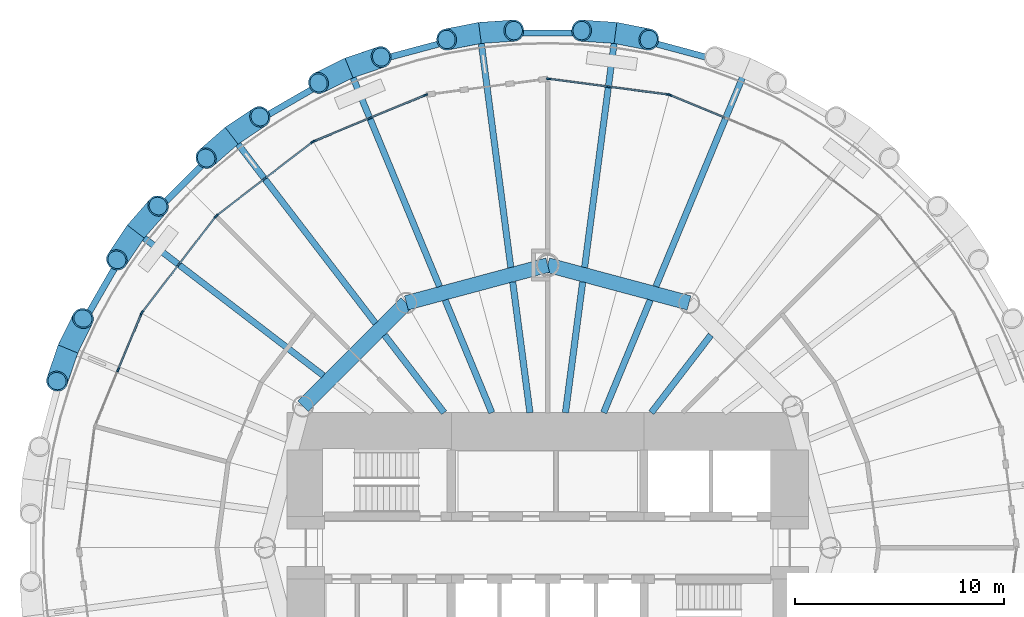
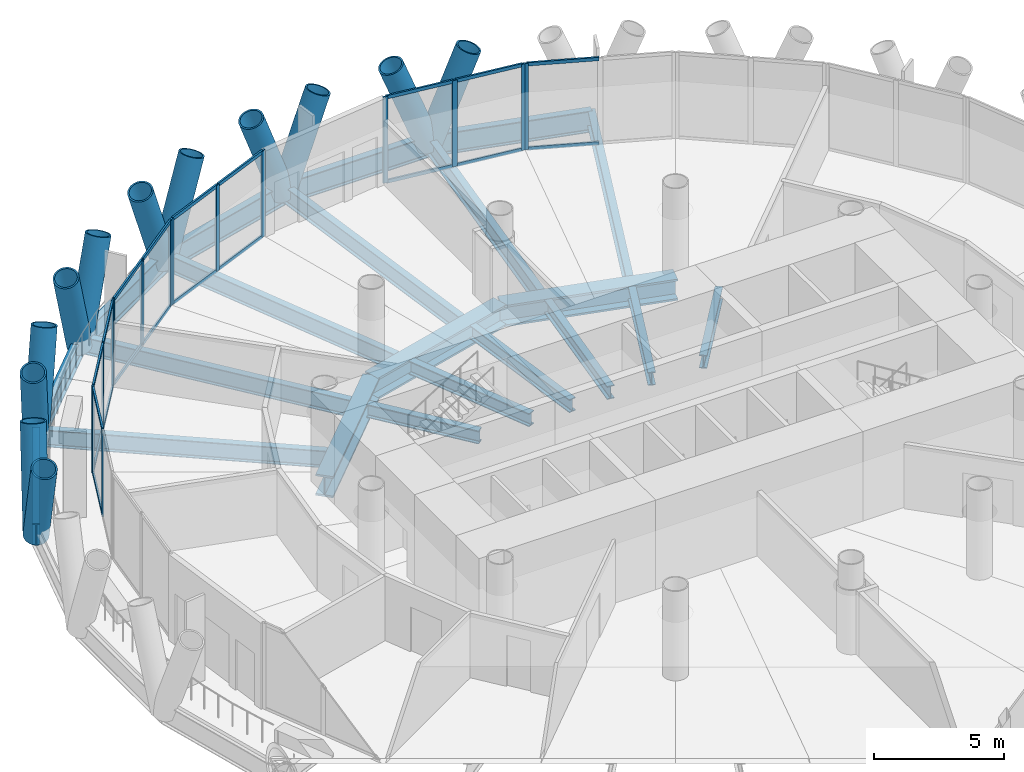
# One storey, part 5 of 14: 47 members, 21 beams, 6 elements without a shape of their own.
"""IFC4 building model written with IfcOpenShell, lengths in metres."""

from ifc_helpers import new_model, si_unit, direction, frame, origin, origin_2d, place, context, subcontext, project, spatial, rectangle, hollow_circle, i_section, extrude, material, material_profile, profile_set, type_object, element, aggregate, save


model = new_model("IFC4")

# Units and contexts
model_context = context("Model", 3, precision=1e-05, world=origin(), true_north=direction((0.0, 1.0)))
body_context = subcontext(model_context, "Body", "Model", "MODEL_VIEW")
ifc_project = project(units=[si_unit("LENGTHUNIT", "METRE"), si_unit("AREAUNIT", "SQUARE_METRE"), si_unit("VOLUMEUNIT", "CUBIC_METRE"), si_unit("PLANEANGLEUNIT", "RADIAN"), si_unit("MASSUNIT", "GRAM", prefix="KILO")], contexts=[model_context])

# Site, building, storey
site_placement = place(None, origin())
site = spatial("IfcSite", under=ifc_project, at=site_placement, CompositionType="ELEMENT")
building_placement = place(site_placement, origin())
building = spatial("IfcBuilding", under=site, at=building_placement, Name="Qaws Media Tower", CompositionType="ELEMENT")
storey_placement = place(building_placement, frame((0.0, 0.0, 152.0)))
storey = spatial("IfcBuildingStorey", under=building, at=storey_placement, Name="L34", CompositionType="ELEMENT", Elevation=152.0)

# Curtain wall, member
ifc_material_1 = material(Name="Aluminium and clear glass", Category="aluminium")
curtain_wall_type = type_object("IfcCurtainWallType", Name="Unitised curtain wall CW-B", PredefinedType="NOTDEFINED", material=ifc_material_1)
curtain_wall_1_placement = place(storey_placement, origin())
curtain_wall_1 = element("IfcCurtainWall", 1, at=curtain_wall_1_placement, inside=storey, type_object=curtain_wall_type, Name="CWB curtain wall L34-05", PredefinedType="NOTDEFINED")
ifc_material_2 = material(Name="Aluminium mullion", Category="aluminium")
ifc_material_profile_1 = material_profile(ifc_material_2, rectangle(XDim=0.080078125, YDim=0.199951171875, at=origin_2d()), Name="80x200")
ifc_profile_set_1 = profile_set([ifc_material_profile_1], Name="Aluminium mullion")
member_type_1 = type_object("IfcMemberType", Name="Curtain wall mullion 80x200", PredefinedType="MULLION", material=ifc_profile_set_1)
member_1_placement = place(storey_placement, frame((65.83447265625, 71.621337890625, 0.0), z_axis=(0.0, 0.0, 1.0), x_axis=(-0.382683534144, -0.923879490353, 0.0)))
member_1 = element("IfcMember", 2, at=member_1_placement, type_object=member_type_1, Name="CWB mullion 3", PredefinedType="MULLION", context=body_context, shape_type="SweptSolid", body=[
    extrude(rectangle(XDim=0.080078125, YDim=0.199951171875, at=origin_2d()), origin(), (0.0, 0.0, 1.0), 4.0400390625),
])

# Curtain wall, members
curtain_wall_2_placement = place(storey_placement, origin())
curtain_wall_2 = element("IfcCurtainWall", 3, at=curtain_wall_2_placement, inside=storey, type_object=curtain_wall_type, Name="CWB curtain wall L34-06", PredefinedType="NOTDEFINED")
member_2_placement = place(storey_placement, frame((65.7578125, 71.641845703125, 0.0), z_axis=(0.0, 0.0, 1.0), x_axis=(-0.130526101045, -0.991444873377, 0.0)))
member_2 = element("IfcMember", 4, at=member_2_placement, type_object=member_type_1, Name="CWB mullion 1", PredefinedType="MULLION", context=body_context, shape_type="SweptSolid", body=[
    extrude(rectangle(XDim=0.080078125, YDim=0.199951171875, at=origin_2d()), origin(), (0.0, 0.0, 1.0), 4.0400390625),
])
member_3_placement = place(storey_placement, frame((62.898681640625, 72.018310546875, 0.0), z_axis=(0.0, 0.0, 1.0), x_axis=(-0.130526101045, -0.991444873377, 0.0)))
member_3 = element("IfcMember", 5, at=member_3_placement, type_object=member_type_1, Name="CWB mullion 2", PredefinedType="MULLION", context=body_context, shape_type="SweptSolid", body=[
    extrude(rectangle(XDim=0.080078125, YDim=0.199951171875, at=origin_2d()), origin(), (0.0, 0.0, 1.0), 4.0400390625),
])
member_4_placement = place(storey_placement, frame((60.03955078125, 72.394775390625, 0.0), z_axis=(0.0, 0.0, 1.0), x_axis=(-0.130526101045, -0.991444873377, 0.0)))
member_4 = element("IfcMember", 6, at=member_4_placement, type_object=member_type_1, Name="CWB mullion 3", PredefinedType="MULLION", context=body_context, shape_type="SweptSolid", body=[
    extrude(rectangle(XDim=0.080078125, YDim=0.199951171875, at=origin_2d()), origin(), (0.0, 0.0, 1.0), 4.0400390625),
])

curtain_wall_3_placement = place(storey_placement, origin())
curtain_wall_3 = element("IfcCurtainWall", 7, at=curtain_wall_3_placement, inside=storey, type_object=curtain_wall_type, Name="CWB curtain wall L34-08", PredefinedType="NOTDEFINED")
member_5_placement = place(storey_placement, frame((54.16552734375, 71.621337890625, 0.0), z_axis=(0.0, 0.0, 1.0), x_axis=(0.382683534144, -0.923879490353, 0.0)))
member_5 = element("IfcMember", 8, at=member_5_placement, type_object=member_type_1, Name="CWB mullion 1", PredefinedType="MULLION", context=body_context, shape_type="SweptSolid", body=[
    extrude(rectangle(XDim=0.080078125, YDim=0.199951171875, at=origin_2d()), origin(), (0.0, 0.0, 1.0), 4.0400390625),
])
member_6_placement = place(storey_placement, frame((51.501220703125, 70.517822265625, 0.0), z_axis=(0.0, 0.0, 1.0), x_axis=(0.382683534144, -0.923879490353, 0.0)))
member_6 = element("IfcMember", 9, at=member_6_placement, type_object=member_type_1, Name="CWB mullion 2", PredefinedType="MULLION", context=body_context, shape_type="SweptSolid", body=[
    extrude(rectangle(XDim=0.080078125, YDim=0.199951171875, at=origin_2d()), origin(), (0.0, 0.0, 1.0), 4.0400390625),
])
member_7_placement = place(storey_placement, frame((48.8369140625, 69.414306640625, 0.0), z_axis=(0.0, 0.0, 1.0), x_axis=(0.382683534144, -0.923879490353, 0.0)))
member_7 = element("IfcMember", 10, at=member_7_placement, type_object=member_type_1, Name="CWB mullion 3", PredefinedType="MULLION", context=body_context, shape_type="SweptSolid", body=[
    extrude(rectangle(XDim=0.080078125, YDim=0.199951171875, at=origin_2d()), origin(), (0.0, 0.0, 1.0), 4.0400390625),
])

curtain_wall_4_placement = place(storey_placement, origin())
curtain_wall_4 = element("IfcCurtainWall", 11, at=curtain_wall_4_placement, inside=storey, type_object=curtain_wall_type, Name="CWB curtain wall L34-09", PredefinedType="NOTDEFINED")
member_8_placement = place(storey_placement, frame((48.768310546875, 69.37451171875, 0.0), z_axis=(0.0, 0.0, 1.0), x_axis=(0.608761404902, -0.793353358789, 0.0)))
member_8 = element("IfcMember", 12, at=member_8_placement, type_object=member_type_1, Name="CWB mullion 1", PredefinedType="MULLION", context=body_context, shape_type="SweptSolid", body=[
    extrude(rectangle(XDim=0.080078125, YDim=0.199951171875, at=origin_2d()), origin(), (0.0, 0.0, 1.0), 4.0400390625),
])
member_9_placement = place(storey_placement, frame((46.48046875, 67.619140625, 0.0), z_axis=(0.0, 0.0, 1.0), x_axis=(0.608761404902, -0.793353358789, 0.0)))
member_9 = element("IfcMember", 13, at=member_9_placement, type_object=member_type_1, Name="CWB mullion 2", PredefinedType="MULLION", context=body_context, shape_type="SweptSolid", body=[
    extrude(rectangle(XDim=0.080078125, YDim=0.199951171875, at=origin_2d()), origin(), (0.0, 0.0, 1.0), 4.0400390625),
])
member_10_placement = place(storey_placement, frame((44.192626953125, 65.863525390625, 0.0), z_axis=(0.0, 0.0, 1.0), x_axis=(0.608761404902, -0.793353358789, 0.0)))
member_10 = element("IfcMember", 14, at=member_10_placement, type_object=member_type_1, Name="CWB mullion 3", PredefinedType="MULLION", context=body_context, shape_type="SweptSolid", body=[
    extrude(rectangle(XDim=0.080078125, YDim=0.199951171875, at=origin_2d()), origin(), (0.0, 0.0, 1.0), 4.0400390625),
])

curtain_wall_5_placement = place(storey_placement, origin())
curtain_wall_5 = element("IfcCurtainWall", 15, at=curtain_wall_5_placement, inside=storey, type_object=curtain_wall_type, Name="CWB curtain wall L34-10", PredefinedType="NOTDEFINED")
member_11_placement = place(storey_placement, frame((44.136474609375, 65.807373046875, 0.0), z_axis=(0.0, 0.0, 1.0), x_axis=(0.793353358789, -0.608761404902, 0.0)))
member_11 = element("IfcMember", 16, at=member_11_placement, type_object=member_type_1, Name="CWB mullion 1", PredefinedType="MULLION", context=body_context, shape_type="SweptSolid", body=[
    extrude(rectangle(XDim=0.080078125, YDim=0.199951171875, at=origin_2d()), origin(), (0.0, 0.0, 1.0), 4.0400390625),
])
member_12_placement = place(storey_placement, frame((42.380859375, 63.51953125, 0.0), z_axis=(0.0, 0.0, 1.0), x_axis=(0.793353358789, -0.608761404902, 0.0)))
member_12 = element("IfcMember", 17, at=member_12_placement, type_object=member_type_1, Name="CWB mullion 2", PredefinedType="MULLION", context=body_context, shape_type="SweptSolid", body=[
    extrude(rectangle(XDim=0.080078125, YDim=0.199951171875, at=origin_2d()), origin(), (0.0, 0.0, 1.0), 4.0400390625),
])
member_13_placement = place(storey_placement, frame((40.62548828125, 61.231689453125, 0.0), z_axis=(0.0, 0.0, 1.0), x_axis=(0.793353358789, -0.608761404902, 0.0)))
member_13 = element("IfcMember", 18, at=member_13_placement, type_object=member_type_1, Name="CWB mullion 3", PredefinedType="MULLION", context=body_context, shape_type="SweptSolid", body=[
    extrude(rectangle(XDim=0.080078125, YDim=0.199951171875, at=origin_2d()), origin(), (0.0, 0.0, 1.0), 4.0400390625),
])

curtain_wall_6_placement = place(storey_placement, origin())
curtain_wall_6 = element("IfcCurtainWall", 19, at=curtain_wall_6_placement, inside=storey, type_object=curtain_wall_type, Name="CWB curtain wall L34-11", PredefinedType="NOTDEFINED")
member_14_placement = place(storey_placement, frame((40.585693359375, 61.1630859375, 0.0), z_axis=(0.0, 0.0, 1.0), x_axis=(0.923879490353, -0.382683534144, 0.0)))
member_14 = element("IfcMember", 20, at=member_14_placement, type_object=member_type_1, Name="CWB mullion 1", PredefinedType="MULLION", context=body_context, shape_type="SweptSolid", body=[
    extrude(rectangle(XDim=0.080078125, YDim=0.199951171875, at=origin_2d()), origin(), (0.0, 0.0, 1.0), 4.0400390625),
])
member_15_placement = place(storey_placement, frame((39.482177734375, 58.498779296875, 0.0), z_axis=(0.0, 0.0, 1.0), x_axis=(0.923879490353, -0.382683534144, 0.0)))
member_15 = element("IfcMember", 21, at=member_15_placement, type_object=member_type_1, Name="CWB mullion 2", PredefinedType="MULLION", context=body_context, shape_type="SweptSolid", body=[
    extrude(rectangle(XDim=0.080078125, YDim=0.199951171875, at=origin_2d()), origin(), (0.0, 0.0, 1.0), 4.0400390625),
])

# Member
ifc_material_3 = material(Name="Aluminium transom", Category="aluminium")
ifc_material_profile_2 = material_profile(ifc_material_3, rectangle(XDim=0.080078125, YDim=0.159912109375, at=origin_2d()), Name="80x160")
ifc_profile_set_2 = profile_set([ifc_material_profile_2], Name="Aluminium transom")
member_type_2 = type_object("IfcMemberType", Name="Curtain wall transom 80x160", PredefinedType="USERDEFINED", material=ifc_profile_set_2)
member_16_placement = place(storey_placement, frame((68.4619140625, 70.533203125, 0.0400390625), z_axis=(-0.923886308121, 0.382667074186, 0.0), x_axis=(-0.382667074186, -0.923886308121, 0.0)))
member_16 = element("IfcMember", 22, at=member_16_placement, type_object=member_type_2, Name="CWB transom 2.1", ObjectType="TRANSOM", PredefinedType="USERDEFINED", context=body_context, shape_type="SweptSolid", body=[
    extrude(rectangle(XDim=0.080078125, YDim=0.159912109375, at=origin_2d()), origin(), (0.0, 0.0, 1.0), 2.803955078125),
])

member_17_placement = place(storey_placement, frame((68.4619140625, 70.533203125, 4.0), z_axis=(-0.923886308121, 0.382667074186, 0.0), x_axis=(-0.382667074186, -0.923886308121, 0.0)))
member_17 = element("IfcMember", 23, at=member_17_placement, type_object=member_type_2, Name="CWB transom 2.2", ObjectType="TRANSOM", PredefinedType="USERDEFINED", context=body_context, shape_type="SweptSolid", body=[
    extrude(rectangle(XDim=0.080078125, YDim=0.159912109375, at=origin_2d()), origin(), (0.0, 0.0, 1.0), 2.803955078125),
])

aggregate(curtain_wall_1, [member_1, member_16, member_17])

member_18_placement = place(storey_placement, frame((65.71826171875, 71.647216796875, 0.0400390625), z_axis=(-0.991444808835, 0.130526591291, 0.0), x_axis=(-0.130526591291, -0.991444808835, 0.0)))
member_18 = element("IfcMember", 24, at=member_18_placement, type_object=member_type_2, Name="CWB transom 1.1", ObjectType="TRANSOM", PredefinedType="USERDEFINED", context=body_context, shape_type="SweptSolid", body=[
    extrude(rectangle(XDim=0.080078125, YDim=0.159912109375, at=origin_2d()), origin(), (0.0, 0.0, 1.0), 2.8037109375),
])

member_19_placement = place(storey_placement, frame((65.71826171875, 71.647216796875, 4.0), z_axis=(-0.991444808835, 0.130526591291, 0.0), x_axis=(-0.130526591291, -0.991444808835, 0.0)))
member_19 = element("IfcMember", 25, at=member_19_placement, type_object=member_type_2, Name="CWB transom 1.2", ObjectType="TRANSOM", PredefinedType="USERDEFINED", context=body_context, shape_type="SweptSolid", body=[
    extrude(rectangle(XDim=0.080078125, YDim=0.159912109375, at=origin_2d()), origin(), (0.0, 0.0, 1.0), 2.8037109375),
])

member_20_placement = place(storey_placement, frame((62.859130859375, 72.023681640625, 0.0400390625), z_axis=(-0.991444808835, 0.130526591291, 0.0), x_axis=(-0.130526591291, -0.991444808835, 0.0)))
member_20 = element("IfcMember", 26, at=member_20_placement, type_object=member_type_2, Name="CWB transom 2.1", ObjectType="TRANSOM", PredefinedType="USERDEFINED", context=body_context, shape_type="SweptSolid", body=[
    extrude(rectangle(XDim=0.080078125, YDim=0.159912109375, at=origin_2d()), origin(), (0.0, 0.0, 1.0), 2.8037109375),
])

member_21_placement = place(storey_placement, frame((62.859130859375, 72.023681640625, 4.0), z_axis=(-0.991444808835, 0.130526591291, 0.0), x_axis=(-0.130526591291, -0.991444808835, 0.0)))
member_21 = element("IfcMember", 27, at=member_21_placement, type_object=member_type_2, Name="CWB transom 2.2", ObjectType="TRANSOM", PredefinedType="USERDEFINED", context=body_context, shape_type="SweptSolid", body=[
    extrude(rectangle(XDim=0.080078125, YDim=0.159912109375, at=origin_2d()), origin(), (0.0, 0.0, 1.0), 2.8037109375),
])

aggregate(curtain_wall_2, [member_2, member_3, member_4, member_18, member_19, member_20, member_21])

member_22_placement = place(storey_placement, frame((54.128662109375, 71.606201171875, 0.0400390625), z_axis=(-0.923886308121, -0.382667074186, 0.0), x_axis=(0.382667074186, -0.923886308121, 0.0)))
member_22 = element("IfcMember", 28, at=member_22_placement, type_object=member_type_2, Name="CWB transom 1.1", ObjectType="TRANSOM", PredefinedType="USERDEFINED", context=body_context, shape_type="SweptSolid", body=[
    extrude(rectangle(XDim=0.080078125, YDim=0.159912109375, at=origin_2d()), origin(), (0.0, 0.0, 1.0), 2.803955078125),
])

member_23_placement = place(storey_placement, frame((54.128662109375, 71.606201171875, 4.0), z_axis=(-0.923886308121, -0.382667074186, 0.0), x_axis=(0.382667074186, -0.923886308121, 0.0)))
member_23 = element("IfcMember", 29, at=member_23_placement, type_object=member_type_2, Name="CWB transom 1.2", ObjectType="TRANSOM", PredefinedType="USERDEFINED", context=body_context, shape_type="SweptSolid", body=[
    extrude(rectangle(XDim=0.080078125, YDim=0.159912109375, at=origin_2d()), origin(), (0.0, 0.0, 1.0), 2.803955078125),
])

member_24_placement = place(storey_placement, frame((51.46435546875, 70.50244140625, 0.0400390625), z_axis=(-0.923904341671, -0.382623532262, 0.0), x_axis=(0.382623532262, -0.923904341671, 0.0)))
member_24 = element("IfcMember", 30, at=member_24_placement, type_object=member_type_2, Name="CWB transom 2.1", ObjectType="TRANSOM", PredefinedType="USERDEFINED", context=body_context, shape_type="SweptSolid", body=[
    extrude(rectangle(XDim=0.080078125, YDim=0.159912109375, at=origin_2d()), origin(), (0.0, 0.0, 1.0), 2.8037109375),
])

member_25_placement = place(storey_placement, frame((51.46435546875, 70.50244140625, 4.0), z_axis=(-0.923904341671, -0.382623532262, 0.0), x_axis=(0.382623532262, -0.923904341671, 0.0)))
member_25 = element("IfcMember", 31, at=member_25_placement, type_object=member_type_2, Name="CWB transom 2.2", ObjectType="TRANSOM", PredefinedType="USERDEFINED", context=body_context, shape_type="SweptSolid", body=[
    extrude(rectangle(XDim=0.080078125, YDim=0.159912109375, at=origin_2d()), origin(), (0.0, 0.0, 1.0), 2.8037109375),
])

aggregate(curtain_wall_3, [member_5, member_6, member_7, member_22, member_23, member_24, member_25])

member_26_placement = place(storey_placement, frame((48.736572265625, 69.350341796875, 0.0400390625), z_axis=(-0.793316172096, -0.608809864482, 0.0), x_axis=(0.608809864482, -0.793316172096, 0.0)))
member_26 = element("IfcMember", 32, at=member_26_placement, type_object=member_type_2, Name="CWB transom 1.1", ObjectType="TRANSOM", PredefinedType="USERDEFINED", context=body_context, shape_type="SweptSolid", body=[
    extrude(rectangle(XDim=0.080078125, YDim=0.159912109375, at=origin_2d()), origin(), (0.0, 0.0, 1.0), 2.803955078125),
])

member_27_placement = place(storey_placement, frame((48.736572265625, 69.350341796875, 4.0), z_axis=(-0.793316172096, -0.608809864482, 0.0), x_axis=(0.608809864482, -0.793316172096, 0.0)))
member_27 = element("IfcMember", 33, at=member_27_placement, type_object=member_type_2, Name="CWB transom 1.2", ObjectType="TRANSOM", PredefinedType="USERDEFINED", context=body_context, shape_type="SweptSolid", body=[
    extrude(rectangle(XDim=0.080078125, YDim=0.159912109375, at=origin_2d()), origin(), (0.0, 0.0, 1.0), 2.803955078125),
])

member_28_placement = place(storey_placement, frame((46.44873046875, 67.5947265625, 0.0400390625), z_axis=(-0.793358226524, -0.608755061094, 0.0), x_axis=(0.608755061094, -0.793358226524, 0.0)))
member_28 = element("IfcMember", 34, at=member_28_placement, type_object=member_type_2, Name="CWB transom 2.1", ObjectType="TRANSOM", PredefinedType="USERDEFINED", context=body_context, shape_type="SweptSolid", body=[
    extrude(rectangle(XDim=0.080078125, YDim=0.159912109375, at=origin_2d()), origin(), (0.0, 0.0, 1.0), 2.8037109375),
])

member_29_placement = place(storey_placement, frame((46.44873046875, 67.5947265625, 4.0), z_axis=(-0.793358226524, -0.608755061094, 0.0), x_axis=(0.608755061094, -0.793358226524, 0.0)))
member_29 = element("IfcMember", 35, at=member_29_placement, type_object=member_type_2, Name="CWB transom 2.2", ObjectType="TRANSOM", PredefinedType="USERDEFINED", context=body_context, shape_type="SweptSolid", body=[
    extrude(rectangle(XDim=0.080078125, YDim=0.159912109375, at=origin_2d()), origin(), (0.0, 0.0, 1.0), 2.8037109375),
])

aggregate(curtain_wall_4, [member_8, member_9, member_10, member_26, member_27, member_28, member_29])

member_30_placement = place(storey_placement, frame((44.112060546875, 65.775634765625, 0.0400390625), z_axis=(-0.608755061094, -0.793358226524, 0.0), x_axis=(0.793358226524, -0.608755061094, 0.0)))
member_30 = element("IfcMember", 36, at=member_30_placement, type_object=member_type_2, Name="CWB transom 1.1", ObjectType="TRANSOM", PredefinedType="USERDEFINED", context=body_context, shape_type="SweptSolid", body=[
    extrude(rectangle(XDim=0.080078125, YDim=0.159912109375, at=origin_2d()), origin(), (0.0, 0.0, 1.0), 2.8037109375),
])

member_31_placement = place(storey_placement, frame((44.112060546875, 65.775634765625, 4.0), z_axis=(-0.608755061094, -0.793358226524, 0.0), x_axis=(0.793358226524, -0.608755061094, 0.0)))
member_31 = element("IfcMember", 37, at=member_31_placement, type_object=member_type_2, Name="CWB transom 1.2", ObjectType="TRANSOM", PredefinedType="USERDEFINED", context=body_context, shape_type="SweptSolid", body=[
    extrude(rectangle(XDim=0.080078125, YDim=0.159912109375, at=origin_2d()), origin(), (0.0, 0.0, 1.0), 2.8037109375),
])

member_32_placement = place(storey_placement, frame((42.356689453125, 63.48779296875, 0.0400390625), z_axis=(-0.608809864482, -0.793316172096, 0.0), x_axis=(0.793316172096, -0.608809864482, 0.0)))
member_32 = element("IfcMember", 38, at=member_32_placement, type_object=member_type_2, Name="CWB transom 2.1", ObjectType="TRANSOM", PredefinedType="USERDEFINED", context=body_context, shape_type="SweptSolid", body=[
    extrude(rectangle(XDim=0.080078125, YDim=0.159912109375, at=origin_2d()), origin(), (0.0, 0.0, 1.0), 2.803955078125),
])

member_33_placement = place(storey_placement, frame((42.356689453125, 63.48779296875, 4.0), z_axis=(-0.608809864482, -0.793316172096, 0.0), x_axis=(0.793316172096, -0.608809864482, 0.0)))
member_33 = element("IfcMember", 39, at=member_33_placement, type_object=member_type_2, Name="CWB transom 2.2", ObjectType="TRANSOM", PredefinedType="USERDEFINED", context=body_context, shape_type="SweptSolid", body=[
    extrude(rectangle(XDim=0.080078125, YDim=0.159912109375, at=origin_2d()), origin(), (0.0, 0.0, 1.0), 2.803955078125),
])

aggregate(curtain_wall_5, [member_11, member_12, member_13, member_30, member_31, member_32, member_33])

member_34_placement = place(storey_placement, frame((40.5703125, 61.1259765625, 0.0400390625), z_axis=(-0.382623532262, -0.923904341671, 0.0), x_axis=(0.923904341671, -0.382623532262, 0.0)))
member_34 = element("IfcMember", 40, at=member_34_placement, type_object=member_type_2, Name="CWB transom 1.1", ObjectType="TRANSOM", PredefinedType="USERDEFINED", context=body_context, shape_type="SweptSolid", body=[
    extrude(rectangle(XDim=0.080078125, YDim=0.159912109375, at=origin_2d()), origin(), (0.0, 0.0, 1.0), 2.8037109375),
])

member_35_placement = place(storey_placement, frame((40.5703125, 61.1259765625, 4.0), z_axis=(-0.382623532262, -0.923904341671, 0.0), x_axis=(0.923904341671, -0.382623532262, 0.0)))
member_35 = element("IfcMember", 41, at=member_35_placement, type_object=member_type_2, Name="CWB transom 1.2", ObjectType="TRANSOM", PredefinedType="USERDEFINED", context=body_context, shape_type="SweptSolid", body=[
    extrude(rectangle(XDim=0.080078125, YDim=0.159912109375, at=origin_2d()), origin(), (0.0, 0.0, 1.0), 2.8037109375),
])

aggregate(curtain_wall_6, [member_14, member_15, member_34, member_35])

# Members
ifc_material_4 = material(Name="Steel S460", Category="steel")
ifc_material_profile_3 = material_profile(ifc_material_4, hollow_circle(Radius=0.508056640625, WallThickness=0.070068359375, at=origin_2d()), Name="CHS 1016x70")
ifc_profile_set_3 = profile_set([ifc_material_profile_3], Name="Steel S460")
member_type_3 = type_object("IfcMemberType", Name="Diagrid member CHS 1016x70", PredefinedType="USERDEFINED", material=ifc_profile_set_3)
for number, where, z_axis, x_axis, name in (
    (42, (63.237060546875, 74.587890625, -0.6640625), (-0.359462194382, 0.024238889861, 0.932844792572), (-0.067278203639, -0.997734254857, 0.0), "DG3 diagrid L34 A06"),
    (43, (63.237060546875, 74.587890625, -0.6640625), (0.353448581919, -0.069626876217, 0.93285915231), (0.193278433496, 0.981143948229, 0.0), "DG3 diagrid L34 B06"),
    (44, (56.762939453125, 74.587890625, -0.6640625), (-0.353448581919, -0.069626876217, 0.93285915231), (0.193278433496, -0.981143948229, 0.0), "DG3 diagrid L34 A07"),
    (45, (56.762939453125, 74.587890625, -0.6640625), (0.359462194382, 0.024238889861, 0.932844792572), (-0.067278203639, 0.997734254857, 0.0), "DG3 diagrid L34 B07"),
    (46, (50.509521484375, 72.912109375, -0.6640625), (-0.323405346097, -0.158720229381, 0.932854153071), (0.440578360022, -0.897714157558, 0.0), "DG3 diagrid L34 A08"),
    (47, (50.509521484375, 72.912109375, -0.6640625), (0.340918595871, 0.116477357075, 0.932849149797), (-0.323308237162, 0.946293709048, 0.0), "DG3 diagrid L34 B08"),
    (48, (44.90283203125, 69.675048828125, -0.6640625), (-0.271348031437, -0.236968604592, 0.932853753958), (0.657779667348, -0.753210401696, 0.0), "DG3 diagrid L34 A09"),
    (49, (44.90283203125, 69.675048828125, -0.6640625), (0.29916380796, 0.200743958142, 0.932846653677), (-0.557198519366, 0.830379316949, 0.0), "DG3 diagrid L34 B09"),
    (50, (40.324951171875, 65.09716796875, -0.6640625), (-0.200743958142, -0.29916380796, 0.932846653677), (0.830379316949, -0.557198519366, 0.0), "DG3 diagrid L34 A10"),
    (51, (40.324951171875, 65.09716796875, -0.6640625), (0.236968604592, 0.271348031437, 0.932853753958), (-0.753210401696, 0.657779667348, 0.0), "DG3 diagrid L34 B10"),
    (52, (37.087890625, 59.490478515625, -0.6640625), (-0.116477357075, -0.340918595871, 0.932849149797), (0.946293709048, -0.323308237162, 0.0), "DG3 diagrid L34 A11"),
    (53, (37.087890625, 59.490478515625, -0.6640625), (0.158720229381, 0.323405346097, 0.932854153071), (-0.897714157558, 0.440578360022, 0.0), "DG3 diagrid L34 B11"),
):
    element("IfcMember", number, at=place(storey_placement, frame(where, z_axis=z_axis, x_axis=x_axis)), inside=storey, type_object=member_type_3, Name=name, ObjectType="DIAGRID", PredefinedType="USERDEFINED", context=body_context, shape_type="SweptSolid", body=[
        extrude(hollow_circle(Radius=0.508056640625, WallThickness=0.070068359375, at=origin_2d()), origin(), (0.0, 0.0, 1.0), 4.502197265625),
    ])

# Beams
ifc_material_5 = material(Name="Steel S460", Category="steel")
ifc_material_profile_4 = material_profile(ifc_material_5, i_section(OverallWidth=0.302001953125, OverallDepth=1.008056640625, WebThickness=0.02099609375, FlangeThickness=0.0400390625, FilletRadius=0.030029296875, at=origin_2d()), Name="HE 1000 M")
ifc_profile_set_4 = profile_set([ifc_material_profile_4], Name="Steel S460")
beam_type_1 = type_object("IfcBeamType", Name="Edge ring beam HE 1000 M", PredefinedType="BEAM", material=ifc_profile_set_4)
for number, where, z_axis, x_axis, name in (
    (54, (69.490478515625, 72.912109375, -0.6640625), (-0.965918760993, 0.258845411707, 0.0), (-0.258845411707, -0.965918760993, 0.0), "RB3 edge ring beam L34-05"),
    (55, (63.237060546875, 74.587890625, -0.6640625), (-1.0, 0.0, 0.0), (0.0, -1.0, 0.0), "RB3 edge ring beam L34-06"),
    (56, (56.762939453125, 74.587890625, -0.6640625), (-0.965918760993, -0.258845411707, 0.0), (0.258845411707, -0.965918760993, 0.0), "RB3 edge ring beam L34-07"),
    (57, (50.509521484375, 72.912109375, -0.6640625), (-0.866022936961, -0.500004272639, 0.0), (0.500004272639, -0.866022936961, 0.0), "RB3 edge ring beam L34-08"),
    (58, (44.90283203125, 69.675048828125, -0.6640625), (-0.707106781187, -0.707106781187, 0.0), (0.707106781187, -0.707106781187, 0.0), "RB3 edge ring beam L34-09"),
    (59, (40.324951171875, 65.09716796875, -0.6640625), (-0.500004272639, -0.866022936961, 0.0), (0.866022936961, -0.500004272639, 0.0), "RB3 edge ring beam L34-10"),
):
    element("IfcBeam", number, at=place(storey_placement, frame(where, z_axis=z_axis, x_axis=x_axis)), inside=storey, type_object=beam_type_1, Name=name, PredefinedType="BEAM", context=body_context, shape_type="SweptSolid", body=[
        extrude(i_section(OverallWidth=0.302001953125, OverallDepth=1.008056640625, WebThickness=0.02099609375, FlangeThickness=0.0400390625, FilletRadius=0.030029296875, at=origin_2d()), origin(), (0.0, 0.0, 1.0), 6.47412109375),
    ])
ifc_material_6 = material(Name="Steel S460", Category="steel")
ifc_material_profile_5 = material_profile(ifc_material_6, i_section(OverallWidth=0.699951171875, OverallDepth=1.0, WebThickness=0.034912109375, FlangeThickness=0.090087890625, at=origin_2d()), Name="PG 1000x700")
ifc_profile_set_5 = profile_set([ifc_material_profile_5], Name="Steel S460")
beam_type_2 = type_object("IfcBeamType", Name="Inner ring girder PG 1000x700", PredefinedType="BEAM", material=ifc_profile_set_5)
for number, where, z_axis, x_axis, name in (
    (60, (66.75, 61.69140625, -0.659912109375), (-0.965928090778, 0.258810593767, 0.0), (-0.258810593767, -0.965928090778, 0.0), "B3 inner ring beam L34 I03-I04"),
    (61, (60.0, 63.5, -0.659912109375), (-0.965928090778, -0.258810593767, 0.0), (0.258810593767, -0.965928090778, 0.0), "B3 inner ring beam L34 I04-I05"),
):
    element("IfcBeam", number, at=place(storey_placement, frame(where, z_axis=z_axis, x_axis=x_axis)), inside=storey, type_object=beam_type_2, Name=name, PredefinedType="BEAM", context=body_context, shape_type="SweptSolid", body=[
        extrude(i_section(OverallWidth=0.699951171875, OverallDepth=1.0, WebThickness=0.034912109375, FlangeThickness=0.090087890625, at=origin_2d()), origin(), (0.0, 0.0, 1.0), 6.988037109375),
    ])
beam_1_placement = place(storey_placement, frame((53.25, 61.69140625, -0.659912109375), z_axis=(-0.707106781187, -0.707106781187, 0.0), x_axis=(0.707106781187, -0.707106781187, 0.0)))
element("IfcBeam", 62, at=beam_1_placement, inside=storey, type_object=beam_type_2, Name="B3 inner ring beam L34 I05-I06", PredefinedType="BEAM", context=body_context, shape_type="SweptSolid", body=[
    extrude(i_section(OverallWidth=0.699951171875, OverallDepth=1.0, WebThickness=0.034912109375, FlangeThickness=0.090087890625, at=origin_2d()), origin(), (0.0, 0.0, 1.0), 6.98828125),
])
ifc_material_7 = material(Name="Steel S355", Category="steel")
ifc_material_profile_6 = material_profile(ifc_material_7, i_section(OverallWidth=0.304931640625, OverallDepth=0.6201171875, WebThickness=0.02099609375, FlangeThickness=0.0400390625, FilletRadius=0.027099609375, at=origin_2d()), Name="HE 600 M")
ifc_profile_set_6 = profile_set([ifc_material_profile_6], Name="Steel S355")
beam_type_3 = type_object("IfcBeamType", Name="Radial beam HE 600 M, core side", PredefinedType="BEAM", material=ifc_profile_set_6)
beam_2_placement = place(storey_placement, frame((64.94921875, 56.449951171875, -0.469970703125), z_axis=(0.608747616782, 0.793363938594, 0.0), x_axis=(-0.793363938594, 0.608747616782, 0.0)))
element("IfcBeam", 63, at=beam_2_placement, inside=storey, type_object=beam_type_3, Name="B2 radial beam L34 04", PredefinedType="BEAM", context=body_context, shape_type="SweptSolid", body=[
    extrude(i_section(OverallWidth=0.304931640625, OverallDepth=0.6201171875, WebThickness=0.02099609375, FlangeThickness=0.0400390625, FilletRadius=0.027099609375, at=origin_2d()), origin(), (0.0, 0.0, 1.0), 4.66943359375),
])
beam_3_placement = place(storey_placement, frame((62.671630859375, 56.449951171875, -0.469970703125), z_axis=(0.382692744599, 0.923875675203, 0.0), x_axis=(-0.923875675203, 0.382692744599, 0.0)))
element("IfcBeam", 64, at=beam_3_placement, inside=storey, type_object=beam_type_3, Name="B2 radial beam L34 05", PredefinedType="BEAM", context=body_context, shape_type="SweptSolid", body=[
    extrude(i_section(OverallWidth=0.304931640625, OverallDepth=0.6201171875, WebThickness=0.02099609375, FlangeThickness=0.0400390625, FilletRadius=0.027099609375, at=origin_2d()), origin(), (0.0, 0.0, 1.0), 5.818115234375),
])
for number, where, z_axis, x_axis, name in (
    (65, (60.84912109375, 56.449951171875, -0.469970703125), (0.130529769311, 0.991444390434, 0.0), (-0.991444390434, 0.130529769311, 0.0), "B2 radial beam L34 06"),
    (66, (59.15087890625, 56.449951171875, -0.469970703125), (-0.130529769311, 0.991444390434, 0.0), (-0.991444390434, -0.130529769311, 0.0), "B2 radial beam L34 07"),
):
    element("IfcBeam", number, at=place(storey_placement, frame(where, z_axis=z_axis, x_axis=x_axis)), inside=storey, type_object=beam_type_3, Name=name, PredefinedType="BEAM", context=body_context, shape_type="SweptSolid", body=[
        extrude(i_section(OverallWidth=0.304931640625, OverallDepth=0.6201171875, WebThickness=0.02099609375, FlangeThickness=0.0400390625, FilletRadius=0.027099609375, at=origin_2d()), origin(), (0.0, 0.0, 1.0), 6.2939453125),
    ])
beam_4_placement = place(storey_placement, frame((57.328369140625, 56.449951171875, -0.469970703125), z_axis=(-0.382692744599, 0.923875675203, 0.0), x_axis=(-0.923875675203, -0.382692744599, 0.0)))
element("IfcBeam", 67, at=beam_4_placement, inside=storey, type_object=beam_type_3, Name="B2 radial beam L34 08", PredefinedType="BEAM", context=body_context, shape_type="SweptSolid", body=[
    extrude(i_section(OverallWidth=0.304931640625, OverallDepth=0.6201171875, WebThickness=0.02099609375, FlangeThickness=0.0400390625, FilletRadius=0.027099609375, at=origin_2d()), origin(), (0.0, 0.0, 1.0), 5.818115234375),
])
beam_5_placement = place(storey_placement, frame((55.05078125, 56.449951171875, -0.469970703125), z_axis=(-0.608747616782, 0.793363938594, 0.0), x_axis=(-0.793363938594, -0.608747616782, 0.0)))
element("IfcBeam", 68, at=beam_5_placement, inside=storey, type_object=beam_type_3, Name="B2 radial beam L34 09", PredefinedType="BEAM", context=body_context, shape_type="SweptSolid", body=[
    extrude(i_section(OverallWidth=0.304931640625, OverallDepth=0.6201171875, WebThickness=0.02099609375, FlangeThickness=0.0400390625, FilletRadius=0.027099609375, at=origin_2d()), origin(), (0.0, 0.0, 1.0), 4.66943359375),
])
ifc_material_8 = material(Name="Steel S355", Category="steel")
ifc_material_profile_7 = material_profile(ifc_material_8, i_section(OverallWidth=0.300048828125, OverallDepth=0.800048828125, WebThickness=0.017578125, FlangeThickness=0.032958984375, FilletRadius=0.030029296875, at=origin_2d()), Name="HE 800 B")
ifc_profile_set_7 = profile_set([ifc_material_profile_7], Name="Steel S355")
beam_type_4 = type_object("IfcBeamType", Name="Radial beam HE 800 B", PredefinedType="BEAM", material=ifc_profile_set_7)
beam_6_placement = place(storey_placement, frame((65.16845703125, 62.4775390625, -0.56005859375), z_axis=(0.382674434747, 0.923883259395, 0.0), x_axis=(-0.923883259395, 0.382674434747, 0.0)))
element("IfcBeam", 69, at=beam_6_placement, inside=storey, type_object=beam_type_4, Name="B1 radial beam L34 05", PredefinedType="BEAM", context=body_context, shape_type="SweptSolid", body=[
    extrude(i_section(OverallWidth=0.300048828125, OverallDepth=0.800048828125, WebThickness=0.017578125, FlangeThickness=0.032958984375, FilletRadius=0.030029296875, at=origin_2d()), origin(), (0.0, 0.0, 1.0), 11.294189453125),
])
for number, where, z_axis, x_axis, name in (
    (70, (61.762939453125, 63.389892578125, -0.56005859375), (0.130515460001, 0.991446274238, 0.0), (-0.991446274238, 0.130515460001, 0.0), "B1 radial beam L34 06"),
    (71, (58.237060546875, 63.389892578125, -0.56005859375), (-0.130515460001, 0.991446274238, 0.0), (-0.991446274238, -0.130515460001, 0.0), "B1 radial beam L34 07"),
):
    element("IfcBeam", number, at=place(storey_placement, frame(where, z_axis=z_axis, x_axis=x_axis)), inside=storey, type_object=beam_type_4, Name=name, PredefinedType="BEAM", context=body_context, shape_type="SweptSolid", body=[
        extrude(i_section(OverallWidth=0.300048828125, OverallDepth=0.800048828125, WebThickness=0.017578125, FlangeThickness=0.032958984375, FilletRadius=0.030029296875, at=origin_2d()), origin(), (0.0, 0.0, 1.0), 11.294677734375),
    ])
beam_7_placement = place(storey_placement, frame((54.83154296875, 62.4775390625, -0.56005859375), z_axis=(-0.382674434747, 0.923883259395, 0.0), x_axis=(-0.923883259395, -0.382674434747, 0.0)))
element("IfcBeam", 72, at=beam_7_placement, inside=storey, type_object=beam_type_4, Name="B1 radial beam L34 08", PredefinedType="BEAM", context=body_context, shape_type="SweptSolid", body=[
    extrude(i_section(OverallWidth=0.300048828125, OverallDepth=0.800048828125, WebThickness=0.017578125, FlangeThickness=0.032958984375, FilletRadius=0.030029296875, at=origin_2d()), origin(), (0.0, 0.0, 1.0), 11.294189453125),
])
for number, where, z_axis, x_axis, name in (
    (73, (51.7783203125, 60.714599609375, -0.56005859375), (-0.608755509089, 0.79335788277, 0.0), (-0.79335788277, -0.608755509089, 0.0), "B1 radial beam L34 09"),
    (74, (49.285400390625, 58.2216796875, -0.56005859375), (-0.79335788277, 0.608755509089, 0.0), (-0.608755509089, -0.79335788277, 0.0), "B1 radial beam L34 10"),
):
    element("IfcBeam", number, at=place(storey_placement, frame(where, z_axis=z_axis, x_axis=x_axis)), inside=storey, type_object=beam_type_4, Name=name, PredefinedType="BEAM", context=body_context, shape_type="SweptSolid", body=[
        extrude(i_section(OverallWidth=0.300048828125, OverallDepth=0.800048828125, WebThickness=0.017578125, FlangeThickness=0.032958984375, FilletRadius=0.030029296875, at=origin_2d()), origin(), (0.0, 0.0, 1.0), 11.29443359375),
    ])

save(model, "model.ifc")
